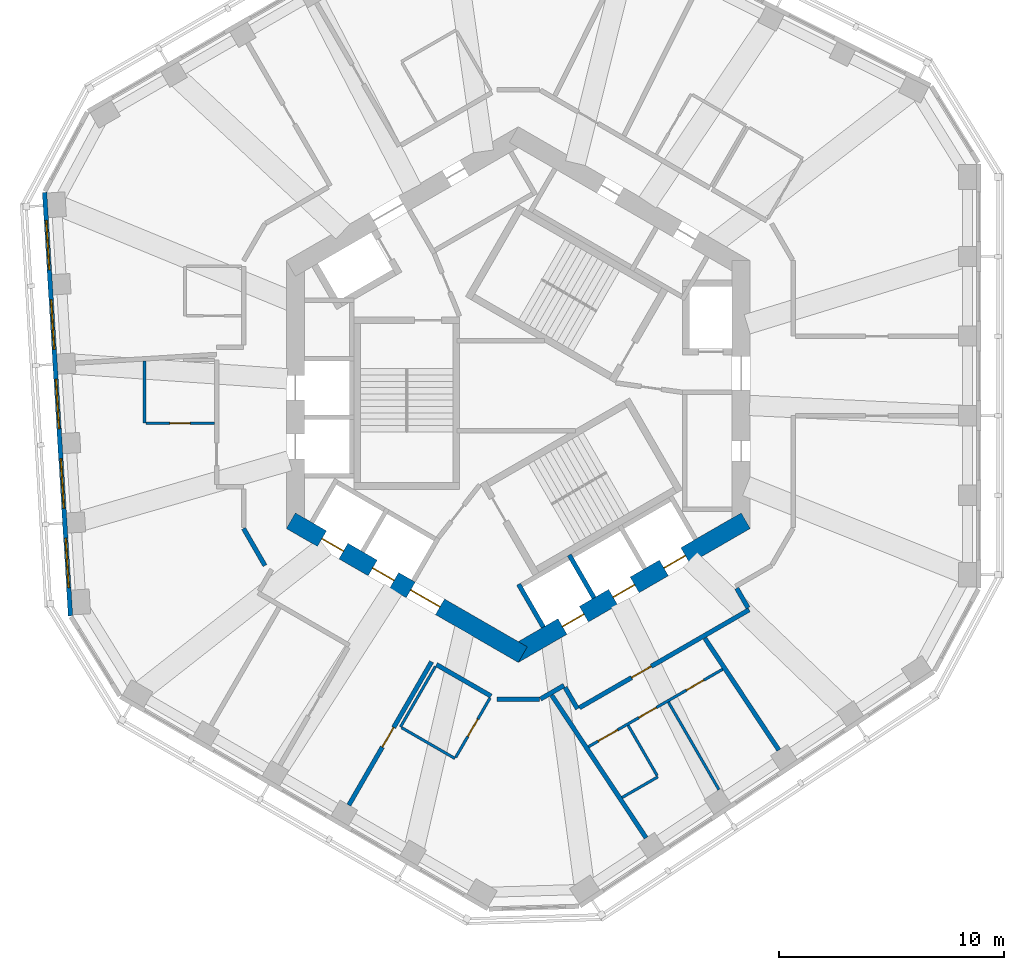
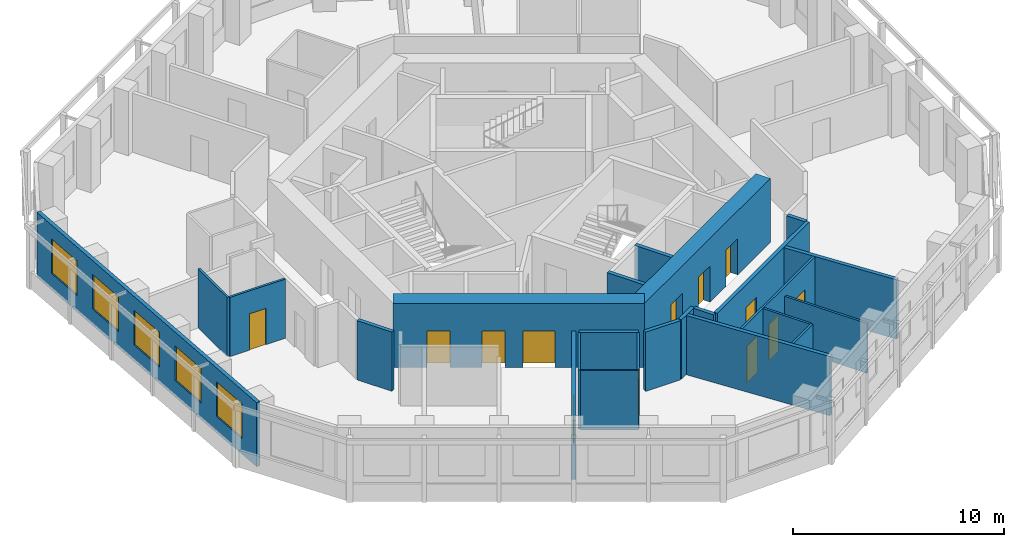
# One storey, part 4 of 11: 24 walls, 13 doors, 5 windows, 18 openings.
"""IFC4 building model written with IfcOpenShell, lengths in metres."""

from ifc_helpers import new_model, si_unit, direction, frame, frame_2d, origin, place, context, subcontext, project, spatial, rectangle, extrude, material, layer, layer_set, type_object, element, fill, save


model = new_model("IFC4")

# Units and contexts
model_context = context("Model", 3, precision=1e-05, world=origin(), true_north=direction((0.0, 1.0)))
body_context = subcontext(model_context, "Body", "Model", "MODEL_VIEW")
ifc_project = project(units=[si_unit("LENGTHUNIT", "METRE"), si_unit("AREAUNIT", "SQUARE_METRE"), si_unit("VOLUMEUNIT", "CUBIC_METRE"), si_unit("PLANEANGLEUNIT", "RADIAN"), si_unit("MASSUNIT", "GRAM", prefix="KILO")], contexts=[model_context])

# Site, building, storey
site_placement = place(None, origin())
site = spatial("IfcSite", under=ifc_project, at=site_placement, CompositionType="ELEMENT")
building_placement = place(site_placement, origin())
building = spatial("IfcBuilding", under=site, at=building_placement, Name="Vanh Sen Convention Tower", CompositionType="ELEMENT")
storey_placement = place(building_placement, frame((0.0, 0.0, 232.800048828125)))
storey = spatial("IfcBuildingStorey", under=building, at=storey_placement, Name="L57", CompositionType="ELEMENT", Elevation=232.800048828125)

# Wall
ifc_material_1 = material(Name="Moisture-resistant gypsum board on steel studs", Category="steel")
ifc_layer_1 = layer(ifc_material_1, 0.1201171875)
ifc_layer_set_1 = layer_set([ifc_layer_1], Name="Moisture-resistant gypsum board on steel studs")
wall_type_1 = type_object("IfcWallType", Name="Bathroom partition 120", PredefinedType="PARTITIONING", material=ifc_layer_set_1)
wall_1_placement = place(storey_placement, frame((-16.60107421875, -1.2666015625, 0.0), z_axis=(0.0, 0.0, 1.0), x_axis=(0.0, 1.0, 0.0)))
element("IfcWall", 1, at=wall_1_placement, inside=storey, type_object=wall_type_1, Name="Bathroom partition 120", PredefinedType="PARTITIONING", context=body_context, shape_type="SweptSolid", body=[
    extrude(rectangle(XDim=2.75, YDim=0.1201171875, at=frame_2d((1.375, 0.0))), origin(), (0.0, 0.0, 1.0), 3.419921875),
])

# Wall, opening, door
wall_2_placement = place(storey_placement, frame((-13.5009765625, -1.2666015625, 0.0), z_axis=(0.0, 0.0, 1.0), x_axis=(-1.0, 0.0, 0.0)))
wall_2 = element("IfcWall", 2, at=wall_2_placement, inside=storey, type_object=wall_type_1, Name="Bathroom partition 120", PredefinedType="PARTITIONING", context=body_context, shape_type="SweptSolid", body=[
    extrude(rectangle(XDim=3.0400390625, YDim=0.1201171875, at=frame_2d((1.52001953125, 0.0))), origin(), (0.0, 0.0, 1.0), 3.419921875),
])
opening_1_placement = place(wall_2_placement, frame((1.070068359375, 0.0, 0.0)))
opening_1 = element("IfcOpeningElement", 3, at=opening_1_placement, cuts=wall_2, Name="Opening D56110", PredefinedType="OPENING", context=body_context, shape_type="SweptSolid", body=[
    extrude(rectangle(XDim=0.89990234375, YDim=2.10009765625, at=frame_2d((0.449951171875, 1.050048828125))), frame((0.0, 0.070068359375, 0.0), z_axis=(0.0, -1.0, 0.0), x_axis=(1.0, 0.0, 0.0)), (0.0, 0.0, 1.0), 0.14013671875),
])
ifc_material_2 = material(Name="Laminate door in steel frame", Category="steel")
door_type_1 = type_object("IfcDoorType", Name="Room internal door 900", OperationType="SINGLE_SWING_LEFT", PredefinedType="DOOR", material=ifc_material_2)
door_1_placement = place(opening_1_placement, origin())
door_1 = element("IfcDoor", 4, at=door_1_placement, inside=storey, type_object=door_type_1, Name="Internal room door D56110", OperationType="SINGLE_SWING_LEFT", OverallHeight=2.10009765625, OverallWidth=0.89990234375, PredefinedType="DOOR", context=body_context, shape_type="SweptSolid", body=[
    extrude(rectangle(XDim=0.89990234375, YDim=2.10009765625, at=frame_2d((0.449951171875, 1.050048828125))), frame((0.0, 0.02490234375, 0.0), z_axis=(0.0, -1.0, 0.0), x_axis=(1.0, 0.0, 0.0)), (0.0, 0.0, 1.0), 0.050048828125),
])
fill(opening_1, door_1)

# Walls
wall_3_placement = place(storey_placement, frame((-5.2333984375, -14.7607421875, 0.0), z_axis=(0.0, 0.0, 1.0), x_axis=(0.499967891604, 0.866043940782, 0.0)))
element("IfcWall", 5, at=wall_3_placement, inside=storey, type_object=wall_type_1, Name="Bathroom partition 120", PredefinedType="PARTITIONING", context=body_context, shape_type="SweptSolid", body=[
    extrude(rectangle(XDim=3.099853515625, YDim=0.1201171875, at=frame_2d((1.5498046875, 0.0))), origin(), (0.0, 0.0, 1.0), 3.419921875),
])
wall_4_placement = place(storey_placement, frame((-2.80859375, -16.160888671875, 0.0), z_axis=(0.0, 0.0, 1.0), x_axis=(-0.865997131366, 0.500048966069, 0.0)))
element("IfcWall", 6, at=wall_4_placement, inside=storey, type_object=wall_type_1, Name="Bathroom partition 120", PredefinedType="PARTITIONING", context=body_context, shape_type="SweptSolid", body=[
    extrude(rectangle(XDim=2.739990234375, YDim=0.1201171875, at=frame_2d((1.3701171875, 0.0))), origin(), (0.0, 0.0, 1.0), 3.419921875),
])

# Wall, opening, door
wall_5_placement = place(storey_placement, frame((-1.258544921875, -13.476318359375, 0.0), z_axis=(0.0, 0.0, 1.0), x_axis=(-0.500026023896, -0.86601037836, 0.0)))
wall_5 = element("IfcWall", 7, at=wall_5_placement, inside=storey, type_object=wall_type_1, Name="Bathroom partition 120", PredefinedType="PARTITIONING", context=body_context, shape_type="SweptSolid", body=[
    extrude(rectangle(XDim=3.039794921875, YDim=0.1201171875, at=frame_2d((1.52001953125, 0.0))), origin(), (0.0, 0.0, 1.0), 3.419921875),
])
opening_2_placement = place(wall_5_placement, frame((1.06982421875, 0.0, 0.0)))
opening_2 = element("IfcOpeningElement", 8, at=opening_2_placement, cuts=wall_5, Name="Opening D56113", PredefinedType="OPENING", context=body_context, shape_type="SweptSolid", body=[
    extrude(rectangle(XDim=0.89990234375, YDim=2.10009765625, at=frame_2d((0.449951171875, 1.050048828125))), frame((0.0, 0.070068359375, 0.0), z_axis=(0.0, -1.0, 0.0), x_axis=(1.0, 0.0, 0.0)), (0.0, 0.0, 1.0), 0.14013671875),
])
door_2_placement = place(opening_2_placement, origin())
door_2 = element("IfcDoor", 9, at=door_2_placement, inside=storey, type_object=door_type_1, Name="Internal room door D56113", OperationType="SINGLE_SWING_LEFT", OverallHeight=2.10009765625, OverallWidth=0.89990234375, PredefinedType="DOOR", context=body_context, shape_type="SweptSolid", body=[
    extrude(rectangle(XDim=0.89990234375, YDim=2.10009765625, at=frame_2d((0.449951171875, 1.050048828125))), frame((0.0, 0.02490234375, 0.0), z_axis=(0.0, -1.0, 0.0), x_axis=(1.0, 0.0, 0.0)), (0.0, 0.0, 1.0), 0.050048828125),
])
fill(opening_2, door_2)

# Wall, openings, doors
wall_6_placement = place(storey_placement, frame((3.11669921875, -15.6376953125, 0.0), z_axis=(0.0, 0.0, 1.0), x_axis=(0.866031365477, 0.499989673903, 0.0)))
wall_6 = element("IfcWall", 10, at=wall_6_placement, inside=storey, type_object=wall_type_1, Name="Bathroom partition 120", PredefinedType="PARTITIONING", context=body_context, shape_type="SweptSolid", body=[
    extrude(rectangle(XDim=6.880615234375, YDim=0.1201171875, at=frame_2d((3.4404296875, 0.0))), origin(), (0.0, 0.0, 1.0), 3.419921875),
])
opening_3_placement = place(wall_6_placement, frame((0.5, 0.0, 0.0)))
opening_3 = element("IfcOpeningElement", 11, at=opening_3_placement, cuts=wall_6, Name="Opening D56115", PredefinedType="OPENING", context=body_context, shape_type="SweptSolid", body=[
    extrude(rectangle(XDim=1.0, YDim=2.10009765625, at=frame_2d((0.5, 1.050048828125))), frame((0.0, 0.070068359375, 0.0), z_axis=(0.0, -1.0, 0.0), x_axis=(1.0, 0.0, 0.0)), (0.0, 0.0, 1.0), 0.14013671875),
])
opening_4_placement = place(wall_6_placement, frame((2.58251953125, 0.0, 0.0)))
opening_4 = element("IfcOpeningElement", 12, at=opening_4_placement, cuts=wall_6, Name="Opening D56116", PredefinedType="OPENING", context=body_context, shape_type="SweptSolid", body=[
    extrude(rectangle(XDim=0.89990234375, YDim=2.10009765625, at=frame_2d((0.449951171875, 1.050048828125))), frame((0.0, 0.070068359375, 0.0), z_axis=(0.0, -1.0, 0.0), x_axis=(1.0, 0.0, 0.0)), (0.0, 0.0, 1.0), 0.14013671875),
])
opening_5_placement = place(wall_6_placement, frame((5.022705078125, 0.0, 0.0)))
opening_5 = element("IfcOpeningElement", 13, at=opening_5_placement, cuts=wall_6, Name="Opening D56117", PredefinedType="OPENING", context=body_context, shape_type="SweptSolid", body=[
    extrude(rectangle(XDim=0.89990234375, YDim=2.10009765625, at=frame_2d((0.449951171875, 1.050048828125))), frame((0.0, 0.070068359375, 0.0), z_axis=(0.0, -1.0, 0.0), x_axis=(1.0, 0.0, 0.0)), (0.0, 0.0, 1.0), 0.14013671875),
])
door_type_2 = type_object("IfcDoorType", Name="Accessible WC door 1000", OperationType="SINGLE_SWING_LEFT", PredefinedType="DOOR", material=ifc_material_2)
door_3_placement = place(opening_3_placement, origin())
door_3 = element("IfcDoor", 14, at=door_3_placement, inside=storey, type_object=door_type_2, Name="Accessible WC door D56115", OperationType="SINGLE_SWING_LEFT", OverallHeight=2.10009765625, OverallWidth=1.0, PredefinedType="DOOR", context=body_context, shape_type="SweptSolid", body=[
    extrude(rectangle(XDim=1.0, YDim=2.10009765625, at=frame_2d((0.5, 1.050048828125))), frame((0.0, 0.02490234375, 0.0), z_axis=(0.0, -1.0, 0.0), x_axis=(1.0, 0.0, 0.0)), (0.0, 0.0, 1.0), 0.050048828125),
])
fill(opening_3, door_3)
door_4_placement = place(opening_4_placement, origin())
door_4 = element("IfcDoor", 15, at=door_4_placement, inside=storey, type_object=door_type_1, Name="Internal room door D56116", OperationType="SINGLE_SWING_LEFT", OverallHeight=2.10009765625, OverallWidth=0.89990234375, PredefinedType="DOOR", context=body_context, shape_type="SweptSolid", body=[
    extrude(rectangle(XDim=0.89990234375, YDim=2.10009765625, at=frame_2d((0.449951171875, 1.050048828125))), frame((0.0, 0.02490234375, 0.0), z_axis=(0.0, -1.0, 0.0), x_axis=(1.0, 0.0, 0.0)), (0.0, 0.0, 1.0), 0.050048828125),
])
fill(opening_4, door_4)
door_5_placement = place(opening_5_placement, origin())
door_5 = element("IfcDoor", 16, at=door_5_placement, inside=storey, type_object=door_type_1, Name="Internal room door D56117", OperationType="SINGLE_SWING_LEFT", OverallHeight=2.10009765625, OverallWidth=0.89990234375, PredefinedType="DOOR", context=body_context, shape_type="SweptSolid", body=[
    extrude(rectangle(XDim=0.89990234375, YDim=2.10009765625, at=frame_2d((0.449951171875, 1.050048828125))), frame((0.0, 0.02490234375, 0.0), z_axis=(0.0, -1.0, 0.0), x_axis=(1.0, 0.0, 0.0)), (0.0, 0.0, 1.0), 0.050048828125),
])
fill(opening_5, door_5)

# Walls
wall_7_placement = place(storey_placement, frame((4.60986328125, -17.893310546875, 0.0), z_axis=(0.0, 0.0, 1.0), x_axis=(0.866023842607, 0.500002704028, 0.0)))
element("IfcWall", 17, at=wall_7_placement, inside=storey, type_object=wall_type_1, Name="Bathroom partition 120", PredefinedType="PARTITIONING", context=body_context, shape_type="SweptSolid", body=[
    extrude(rectangle(XDim=1.8349609375, YDim=0.1201171875, at=frame_2d((0.91748046875, 0.0))), origin(), (0.0, 0.0, 1.0), 3.419921875),
])
wall_8_placement = place(storey_placement, frame((6.1689453125, -16.923828125, 0.0), z_axis=(0.0, 0.0, 1.0), x_axis=(-0.500047388771, 0.865998042136, 0.0)))
element("IfcWall", 18, at=wall_8_placement, inside=storey, type_object=wall_type_1, Name="Bathroom partition 120", PredefinedType="PARTITIONING", context=body_context, shape_type="SweptSolid", body=[
    extrude(rectangle(XDim=2.579833984375, YDim=0.1201171875, at=frame_2d((1.2900390625, 0.0))), origin(), (0.0, 0.0, 1.0), 3.419921875),
])
wall_9_placement = place(storey_placement, frame((8.912353515625, -17.54541015625, 0.0), z_axis=(0.0, 0.0, 1.0), x_axis=(-0.500022113525, 0.866012636158, 0.0)))
element("IfcWall", 19, at=wall_9_placement, inside=storey, type_object=wall_type_1, Name="Bathroom partition 120", PredefinedType="PARTITIONING", context=body_context, shape_type="SweptSolid", body=[
    extrude(rectangle(XDim=4.489990234375, YDim=0.1201171875, at=frame_2d((2.2451171875, 0.0))), origin(), (0.0, 0.0, 1.0), 2.869873046875),
])

# Wall, openings, doors
ifc_material_3 = material(Name="Concrete C60/75", Category="concrete")
ifc_layer_2 = layer(ifc_material_3, 0.800048828125)
ifc_layer_set_2 = layer_set([ifc_layer_2], Name="Concrete C60/75")
wall_type_2 = type_object("IfcWallType", Name="Core outer wall 800 C60/75", PredefinedType="SHEAR", material=ifc_layer_set_2)
wall_10_placement = place(storey_placement, frame((-10.10009765625, -5.600341796875, 0.0), z_axis=(0.0, 0.0, 1.0), x_axis=(0.866023897231, -0.500002609418, 0.0)))
wall_10 = element("IfcWall", 20, at=wall_10_placement, inside=storey, type_object=wall_type_2, Name="Core wall face SW L57", PredefinedType="SHEAR", context=body_context, shape_type="SweptSolid", body=[
    extrude(rectangle(XDim=11.8935546875, YDim=0.800048828125, at=frame_2d((5.94677734375, 0.0))), origin(), (0.0, 0.0, 1.0), 3.699951171875),
])
opening_6_placement = place(wall_10_placement, frame((6.146728515625, 0.0, 0.0)))
opening_6 = element("IfcOpeningElement", 21, at=opening_6_placement, cuts=wall_10, Name="Opening D56003", PredefinedType="OPENING", context=body_context, shape_type="SweptSolid", body=[
    extrude(rectangle(XDim=1.5, YDim=2.10009765625, at=frame_2d((0.75, 1.050048828125))), frame((0.0, 0.409912109375, 0.0), z_axis=(0.0, -1.0, 0.0), x_axis=(1.0, 0.0, 0.0)), (0.0, 0.0, 1.0), 0.820068359375),
])
opening_7_placement = place(wall_10_placement, frame((1.5966796875, 0.0, 0.0)))
opening_7 = element("IfcOpeningElement", 22, at=opening_7_placement, cuts=wall_10, Name="Opening LD-HR3", PredefinedType="OPENING", context=body_context, shape_type="SweptSolid", body=[
    extrude(rectangle(XDim=1.10009765625, YDim=2.10009765625, at=frame_2d((0.550048828125, 1.050048828125))), frame((0.0, 0.409912109375, 0.0), z_axis=(0.0, -1.0, 0.0), x_axis=(1.0, 0.0, 0.0)), (0.0, 0.0, 1.0), 0.820068359375),
])
opening_8_placement = place(wall_10_placement, frame((4.19677734375, 0.0, 0.0)))
opening_8 = element("IfcOpeningElement", 23, at=opening_8_placement, cuts=wall_10, Name="Opening LD-HR4", PredefinedType="OPENING", context=body_context, shape_type="SweptSolid", body=[
    extrude(rectangle(XDim=1.10009765625, YDim=2.10009765625, at=frame_2d((0.550048828125, 1.050048828125))), frame((0.0, 0.409912109375, 0.0), z_axis=(0.0, -1.0, 0.0), x_axis=(1.0, 0.0, 0.0)), (0.0, 0.0, 1.0), 0.820068359375),
])
ifc_material_4 = material(Name="Stainless steel", Category="steel")
door_type_3 = type_object("IfcDoorType", Name="Lift landing door 1100", OperationType="DOUBLE_DOOR_SLIDING", PredefinedType="DOOR", material=ifc_material_4)
door_6_placement = place(opening_7_placement, origin())
door_6 = element("IfcDoor", 24, at=door_6_placement, inside=storey, type_object=door_type_3, Name="Lift HR3 landing door LD-HR3", OperationType="DOUBLE_DOOR_SLIDING", OverallHeight=2.10009765625, OverallWidth=1.10009765625, PredefinedType="DOOR", context=body_context, shape_type="SweptSolid", body=[
    extrude(rectangle(XDim=1.10009765625, YDim=2.10009765625, at=frame_2d((0.550048828125, 1.050048828125))), frame((0.0, 0.02490234375, 0.0), z_axis=(0.0, -1.0, 0.0), x_axis=(1.0, 0.0, 0.0)), (0.0, 0.0, 1.0), 0.050048828125),
])
fill(opening_7, door_6)
door_7_placement = place(opening_8_placement, origin())
door_7 = element("IfcDoor", 25, at=door_7_placement, inside=storey, type_object=door_type_3, Name="Lift HR4 landing door LD-HR4", OperationType="DOUBLE_DOOR_SLIDING", OverallHeight=2.10009765625, OverallWidth=1.10009765625, PredefinedType="DOOR", context=body_context, shape_type="SweptSolid", body=[
    extrude(rectangle(XDim=1.10009765625, YDim=2.10009765625, at=frame_2d((0.550048828125, 1.050048828125))), frame((0.0, 0.02490234375, 0.0), z_axis=(0.0, -1.0, 0.0), x_axis=(1.0, 0.0, 0.0)), (0.0, 0.0, 1.0), 0.050048828125),
])
fill(opening_8, door_7)
ifc_material_5 = material(Name="Steel S355", Category="steel")
door_type_4 = type_object("IfcDoorType", Name="Stair lobby door 1500", OperationType="DOUBLE_DOOR_SINGLE_SWING", PredefinedType="DOOR", material=ifc_material_5)
door_8_placement = place(opening_6_placement, origin())
door_8 = element("IfcDoor", 26, at=door_8_placement, inside=storey, type_object=door_type_4, Name="Stair lobby door D56003", OperationType="DOUBLE_DOOR_SINGLE_SWING", OverallHeight=2.10009765625, OverallWidth=1.5, PredefinedType="DOOR", context=body_context, shape_type="SweptSolid", body=[
    extrude(rectangle(XDim=1.5, YDim=2.10009765625, at=frame_2d((0.75, 1.050048828125))), frame((0.0, 0.02490234375, 0.0), z_axis=(0.0, -1.0, 0.0), x_axis=(1.0, 0.0, 0.0)), (0.0, 0.0, 1.0), 0.050048828125),
])
fill(opening_6, door_8)

wall_11_placement = place(storey_placement, frame((-0.199951171875, -11.547119140625, 0.0), z_axis=(0.0, 0.0, 1.0), x_axis=(0.866023897231, 0.500002609418, 0.0)))
wall_11 = element("IfcWall", 27, at=wall_11_placement, inside=storey, type_object=wall_type_2, Name="Core wall face SE L57", PredefinedType="SHEAR", context=body_context, shape_type="SweptSolid", body=[
    extrude(rectangle(XDim=11.8935546875, YDim=0.800048828125, at=frame_2d((5.94677734375, 0.0))), origin(), (0.0, 0.0, 1.0), 3.699951171875),
])
opening_9_placement = place(wall_11_placement, frame((2.49658203125, 0.0, 0.0)))
opening_9 = element("IfcOpeningElement", 28, at=opening_9_placement, cuts=wall_11, Name="Opening LD-HR5", PredefinedType="OPENING", context=body_context, shape_type="SweptSolid", body=[
    extrude(rectangle(XDim=1.10009765625, YDim=2.10009765625, at=frame_2d((0.550048828125, 1.050048828125))), frame((0.0, 0.409912109375, 0.0), z_axis=(0.0, -1.0, 0.0), x_axis=(1.0, 0.0, 0.0)), (0.0, 0.0, 1.0), 0.820068359375),
])
opening_10_placement = place(wall_11_placement, frame((5.0966796875, 0.0, 0.0)))
opening_10 = element("IfcOpeningElement", 29, at=opening_10_placement, cuts=wall_11, Name="Opening LD-HR6", PredefinedType="OPENING", context=body_context, shape_type="SweptSolid", body=[
    extrude(rectangle(XDim=1.10009765625, YDim=2.10009765625, at=frame_2d((0.550048828125, 1.050048828125))), frame((0.0, 0.409912109375, 0.0), z_axis=(0.0, -1.0, 0.0), x_axis=(1.0, 0.0, 0.0)), (0.0, 0.0, 1.0), 0.820068359375),
])
opening_11_placement = place(wall_11_placement, frame((7.69677734375, 0.0, 0.0)))
opening_11 = element("IfcOpeningElement", 30, at=opening_11_placement, cuts=wall_11, Name="Opening LD-SV1", PredefinedType="OPENING", context=body_context, shape_type="SweptSolid", body=[
    extrude(rectangle(XDim=1.10009765625, YDim=2.10009765625, at=frame_2d((0.550048828125, 1.050048828125))), frame((0.0, 0.409912109375, 0.0), z_axis=(0.0, -1.0, 0.0), x_axis=(1.0, 0.0, 0.0)), (0.0, 0.0, 1.0), 0.820068359375),
])
door_9_placement = place(opening_9_placement, origin())
door_9 = element("IfcDoor", 31, at=door_9_placement, inside=storey, type_object=door_type_3, Name="Lift HR5 landing door LD-HR5", OperationType="DOUBLE_DOOR_SLIDING", OverallHeight=2.10009765625, OverallWidth=1.10009765625, PredefinedType="DOOR", context=body_context, shape_type="SweptSolid", body=[
    extrude(rectangle(XDim=1.10009765625, YDim=2.10009765625, at=frame_2d((0.550048828125, 1.050048828125))), frame((0.0, 0.02490234375, 0.0), z_axis=(0.0, -1.0, 0.0), x_axis=(1.0, 0.0, 0.0)), (0.0, 0.0, 1.0), 0.050048828125),
])
fill(opening_9, door_9)
door_10_placement = place(opening_10_placement, origin())
door_10 = element("IfcDoor", 32, at=door_10_placement, inside=storey, type_object=door_type_3, Name="Lift HR6 landing door LD-HR6", OperationType="DOUBLE_DOOR_SLIDING", OverallHeight=2.10009765625, OverallWidth=1.10009765625, PredefinedType="DOOR", context=body_context, shape_type="SweptSolid", body=[
    extrude(rectangle(XDim=1.10009765625, YDim=2.10009765625, at=frame_2d((0.550048828125, 1.050048828125))), frame((0.0, 0.02490234375, 0.0), z_axis=(0.0, -1.0, 0.0), x_axis=(1.0, 0.0, 0.0)), (0.0, 0.0, 1.0), 0.050048828125),
])
fill(opening_10, door_10)
door_11_placement = place(opening_11_placement, origin())
door_11 = element("IfcDoor", 33, at=door_11_placement, inside=storey, type_object=door_type_3, Name="Lift SV1 landing door LD-SV1", OperationType="DOUBLE_DOOR_SLIDING", OverallHeight=2.10009765625, OverallWidth=1.10009765625, PredefinedType="DOOR", context=body_context, shape_type="SweptSolid", body=[
    extrude(rectangle(XDim=1.10009765625, YDim=2.10009765625, at=frame_2d((0.550048828125, 1.050048828125))), frame((0.0, 0.02490234375, 0.0), z_axis=(0.0, -1.0, 0.0), x_axis=(1.0, 0.0, 0.0)), (0.0, 0.0, 1.0), 0.050048828125),
])
fill(opening_11, door_11)

# Wall
ifc_material_6 = material(Name="Gypsum board on steel studs with mineral wool", Category="steel")
ifc_layer_3 = layer(ifc_material_6, 0.199951171875)
ifc_layer_set_3 = layer_set([ifc_layer_3], Name="Gypsum board on steel studs with mineral wool")
wall_type_3 = type_object("IfcWallType", Name="Corridor partition wall 200", PredefinedType="PARTITIONING", material=ifc_layer_set_3)
wall_12_placement = place(storey_placement, frame((-12.199951171875, -5.94677734375, 0.0), z_axis=(0.0, 0.0, 1.0), x_axis=(0.500022797313, -0.86601224135, 0.0)))
element("IfcWall", 34, at=wall_12_placement, inside=storey, type_object=wall_type_3, Name="Corridor partition wall 200", PredefinedType="PARTITIONING", context=body_context, shape_type="SweptSolid", body=[
    extrude(rectangle(XDim=1.89990234375, YDim=0.199951171875, at=frame_2d((0.949951171875, 0.0))), origin(), (0.0, 0.0, 1.0), 3.419921875),
])

# Wall, opening, door
wall_13_placement = place(storey_placement, frame((-7.52490234375, -18.229736328125, 0.0), z_axis=(0.0, 0.0, 1.0), x_axis=(0.499983153418, 0.866035129944, 0.0)))
wall_13 = element("IfcWall", 35, at=wall_13_placement, inside=storey, type_object=wall_type_3, Name="Corridor partition wall 200", PredefinedType="PARTITIONING", context=body_context, shape_type="SweptSolid", body=[
    extrude(rectangle(XDim=7.349853515625, YDim=0.199951171875, at=frame_2d((3.6748046875, 0.0))), origin(), (0.0, 0.0, 1.0), 3.419921875),
])
opening_12_placement = place(wall_13_placement, frame((2.97509765625, 0.0, 0.0)))
opening_12 = element("IfcOpeningElement", 36, at=opening_12_placement, cuts=wall_13, Name="Opening D56112", PredefinedType="OPENING", context=body_context, shape_type="SweptSolid", body=[
    extrude(rectangle(XDim=1.0, YDim=2.10009765625, at=frame_2d((0.5, 1.050048828125))), frame((0.0, 0.10986328125, 0.0), z_axis=(0.0, -1.0, 0.0), x_axis=(1.0, 0.0, 0.0)), (0.0, 0.0, 1.0), 0.219970703125),
])
ifc_material_7 = material(Name="Glazed fire door in steel frame", Category="steel")
door_type_5 = type_object("IfcDoorType", Name="Tenant entrance door 1000", OperationType="SINGLE_SWING_LEFT", PredefinedType="DOOR", material=ifc_material_7)
door_12_placement = place(opening_12_placement, origin())
door_12 = element("IfcDoor", 37, at=door_12_placement, inside=storey, type_object=door_type_5, Name="Tenant suite entrance door D56112", OperationType="SINGLE_SWING_LEFT", OverallHeight=2.10009765625, OverallWidth=1.0, PredefinedType="DOOR", context=body_context, shape_type="SweptSolid", body=[
    extrude(rectangle(XDim=1.0, YDim=2.10009765625, at=frame_2d((0.5, 1.050048828125))), frame((0.0, 0.02490234375, 0.0), z_axis=(0.0, -1.0, 0.0), x_axis=(1.0, 0.0, 0.0)), (0.0, 0.0, 1.0), 0.050048828125),
])
fill(opening_12, door_12)

# Walls
wall_14_placement = place(storey_placement, frame((-3.633544921875, -11.989501953125, 0.0), z_axis=(0.0, 0.0, 1.0), x_axis=(0.866018616679, -0.500011755427, 0.0)))
element("IfcWall", 38, at=wall_14_placement, inside=storey, type_object=wall_type_3, Name="Corridor partition wall 200", PredefinedType="PARTITIONING", context=body_context, shape_type="SweptSolid", body=[
    extrude(rectangle(XDim=2.80029296875, YDim=0.199951171875, at=frame_2d((1.400146484375, 0.0))), origin(), (0.0, 0.0, 1.0), 3.419921875),
])
wall_15_placement = place(storey_placement, frame((-0.949951171875, -13.538818359375, 0.0), z_axis=(0.0, 0.0, 1.0), x_axis=(1.0, 0.0, 0.0)))
element("IfcWall", 39, at=wall_15_placement, inside=storey, type_object=wall_type_3, Name="Corridor partition wall 200", PredefinedType="PARTITIONING", context=body_context, shape_type="SweptSolid", body=[
    extrude(rectangle(XDim=1.89990234375, YDim=0.199951171875, at=frame_2d((0.949951171875, 0.0))), origin(), (0.0, 0.0, 1.0), 3.419921875),
])
wall_16_placement = place(storey_placement, frame((0.984619140625, -13.518798828125, 0.0), z_axis=(0.0, 0.0, 1.0), x_axis=(0.866054082991, 0.499950322867, 0.0)))
element("IfcWall", 40, at=wall_16_placement, inside=storey, type_object=wall_type_3, Name="Corridor partition wall 200", PredefinedType="PARTITIONING", context=body_context, shape_type="SweptSolid", body=[
    extrude(rectangle(XDim=1.20556640625, YDim=0.199951171875, at=frame_2d((0.602783203125, 0.0))), origin(), (0.0, 0.0, 1.0), 3.419921875),
])
wall_17_placement = place(storey_placement, frame((2.078857421875, -13.002685546875, 0.0), z_axis=(0.0, 0.0, 1.0), x_axis=(0.500074377092, -0.865982457891, 0.0)))
element("IfcWall", 41, at=wall_17_placement, inside=storey, type_object=wall_type_3, Name="Corridor partition wall 200", PredefinedType="PARTITIONING", context=body_context, shape_type="SweptSolid", body=[
    extrude(rectangle(XDim=1.100830078125, YDim=0.199951171875, at=frame_2d((0.55029296875, 0.0))), origin(), (0.0, 0.0, 1.0), 3.419921875),
])

# Wall, opening, door
wall_18_placement = place(storey_placement, frame((2.7158203125, -13.906005859375, 0.0), z_axis=(0.0, 0.0, 1.0), x_axis=(0.866040290674, 0.499974214264, 0.0)))
wall_18 = element("IfcWall", 42, at=wall_18_placement, inside=storey, type_object=wall_type_3, Name="Corridor partition wall 200", PredefinedType="PARTITIONING", context=body_context, shape_type="SweptSolid", body=[
    extrude(rectangle(XDim=8.7021484375, YDim=0.199951171875, at=frame_2d((4.35107421875, 0.0))), origin(), (0.0, 0.0, 1.0), 3.419921875),
])
opening_13_placement = place(wall_18_placement, frame((2.678955078125, 0.0, 0.0)))
opening_13 = element("IfcOpeningElement", 43, at=opening_13_placement, cuts=wall_18, Name="Opening D56114", PredefinedType="OPENING", context=body_context, shape_type="SweptSolid", body=[
    extrude(rectangle(XDim=1.0, YDim=2.10009765625, at=frame_2d((0.5, 1.050048828125))), frame((0.0, 0.10986328125, 0.0), z_axis=(0.0, -1.0, 0.0), x_axis=(1.0, 0.0, 0.0)), (0.0, 0.0, 1.0), 0.219970703125),
])
ifc_material_8 = material(Name="Timber fire door in steel frame", Category="steel")
door_type_6 = type_object("IfcDoorType", Name="Floor room door 1000", OperationType="SINGLE_SWING_LEFT", PredefinedType="DOOR", material=ifc_material_8)
door_13_placement = place(opening_13_placement, origin())
door_13 = element("IfcDoor", 44, at=door_13_placement, inside=storey, type_object=door_type_6, Name="Meeting and amenity room door D56114", OperationType="SINGLE_SWING_LEFT", OverallHeight=2.10009765625, OverallWidth=1.0, PredefinedType="DOOR", context=body_context, shape_type="SweptSolid", body=[
    extrude(rectangle(XDim=1.0, YDim=2.10009765625, at=frame_2d((0.5, 1.050048828125))), frame((0.0, 0.02490234375, 0.0), z_axis=(0.0, -1.0, 0.0), x_axis=(1.0, 0.0, 0.0)), (0.0, 0.0, 1.0), 0.050048828125),
])
fill(opening_13, door_13)

# Wall
wall_19_placement = place(storey_placement, frame((10.2021484375, -9.468505859375, 0.0), z_axis=(0.0, 0.0, 1.0), x_axis=(-0.499968756647, 0.866043441391, 0.0)))
element("IfcWall", 45, at=wall_19_placement, inside=storey, type_object=wall_type_3, Name="Corridor partition wall 200", PredefinedType="PARTITIONING", context=body_context, shape_type="SweptSolid", body=[
    extrude(rectangle(XDim=1.0009765625, YDim=0.199951171875, at=frame_2d((0.50048828125, 0.0))), origin(), (0.0, 0.0, 1.0), 3.419921875),
])

# Wall, openings, windows
ifc_material_9 = material(Name="Insulated lightweight infill wall")
ifc_layer_4 = layer(ifc_material_9, 0.199951171875)
ifc_layer_set_4 = layer_set([ifc_layer_4], Name="Insulated lightweight infill wall")
wall_type_4 = type_object("IfcWallType", Name="External wall 200", PredefinedType="STANDARD", material=ifc_layer_set_4)
wall_20_placement = place(storey_placement, frame((-21.03759765625, 8.983642578125, 0.0), z_axis=(0.0, 0.0, 1.0), x_axis=(0.061043935634, -0.998135079998, 0.0)))
wall_20 = element("IfcWall", 46, at=wall_20_placement, inside=storey, type_object=wall_type_4, Name="External wall W L57", PredefinedType="STANDARD", context=body_context, shape_type="SweptSolid", body=[
    extrude(rectangle(XDim=18.84130859375, YDim=0.199951171875, at=frame_2d((9.420654296875, 0.0))), origin(), (0.0, 0.0, 1.0), 3.699951171875),
])
opening_14_placement = place(wall_20_placement, frame((1.252685546875, 0.0, 0.89990234375)))
opening_14 = element("IfcOpeningElement", 47, at=opening_14_placement, cuts=wall_20, Name="Opening WO3-W1", PredefinedType="OPENING", context=body_context, shape_type="SweptSolid", body=[
    extrude(rectangle(XDim=2.199951171875, YDim=2.0, at=frame_2d((1.10009765625, 1.0))), frame((0.0, 0.10986328125, 0.0), z_axis=(0.0, -1.0, 0.0), x_axis=(1.0, 0.0, 0.0)), (0.0, 0.0, 1.0), 0.219970703125),
])
opening_15_placement = place(wall_20_placement, frame((4.7861328125, 0.0, 0.89990234375)))
opening_15 = element("IfcOpeningElement", 48, at=opening_15_placement, cuts=wall_20, Name="Opening WO3-W2", PredefinedType="OPENING", context=body_context, shape_type="SweptSolid", body=[
    extrude(rectangle(XDim=2.199951171875, YDim=2.0, at=frame_2d((1.10009765625, 1.0))), frame((0.0, 0.10986328125, 0.0), z_axis=(0.0, -1.0, 0.0), x_axis=(1.0, 0.0, 0.0)), (0.0, 0.0, 1.0), 0.219970703125),
])
opening_16_placement = place(wall_20_placement, frame((8.31982421875, 0.0, 0.89990234375)))
opening_16 = element("IfcOpeningElement", 49, at=opening_16_placement, cuts=wall_20, Name="Opening WO3-W3", PredefinedType="OPENING", context=body_context, shape_type="SweptSolid", body=[
    extrude(rectangle(XDim=2.199951171875, YDim=2.0, at=frame_2d((1.10009765625, 1.0))), frame((0.0, 0.10986328125, 0.0), z_axis=(0.0, -1.0, 0.0), x_axis=(1.0, 0.0, 0.0)), (0.0, 0.0, 1.0), 0.219970703125),
])
opening_17_placement = place(wall_20_placement, frame((11.853515625, 0.0, 0.89990234375)))
opening_17 = element("IfcOpeningElement", 50, at=opening_17_placement, cuts=wall_20, Name="Opening WO3-W4", PredefinedType="OPENING", context=body_context, shape_type="SweptSolid", body=[
    extrude(rectangle(XDim=2.199951171875, YDim=2.0, at=frame_2d((1.10009765625, 1.0))), frame((0.0, 0.10986328125, 0.0), z_axis=(0.0, -1.0, 0.0), x_axis=(1.0, 0.0, 0.0)), (0.0, 0.0, 1.0), 0.219970703125),
])
opening_18_placement = place(wall_20_placement, frame((15.38720703125, 0.0, 0.89990234375)))
opening_18 = element("IfcOpeningElement", 51, at=opening_18_placement, cuts=wall_20, Name="Opening WO3-W5", PredefinedType="OPENING", context=body_context, shape_type="SweptSolid", body=[
    extrude(rectangle(XDim=2.199951171875, YDim=2.0, at=frame_2d((1.10009765625, 1.0))), frame((0.0, 0.10986328125, 0.0), z_axis=(0.0, -1.0, 0.0), x_axis=(1.0, 0.0, 0.0)), (0.0, 0.0, 1.0), 0.219970703125),
])
ifc_material_10 = material(Name="Aluminium frame with clear low-emissivity glass", Category="aluminium")
window_type = type_object("IfcWindowType", Name="Office window 2200 x 2000", PartitioningType="SINGLE_PANEL", PredefinedType="WINDOW", material=ifc_material_10)
window_1_placement = place(opening_14_placement, origin())
window_1 = element("IfcWindow", 52, at=window_1_placement, inside=storey, type_object=window_type, Name="Window WO3-W1", OverallHeight=2.0, OverallWidth=2.199951171875, PartitioningType="SINGLE_PANEL", PredefinedType="WINDOW", context=body_context, shape_type="SweptSolid", body=[
    extrude(rectangle(XDim=2.199951171875, YDim=2.0, at=frame_2d((1.10009765625, 1.0))), frame((0.0, 0.030029296875, 0.0), z_axis=(0.0, -1.0, 0.0), x_axis=(1.0, 0.0, 0.0)), (0.0, 0.0, 1.0), 0.06005859375),
])
fill(opening_14, window_1)
window_2_placement = place(opening_15_placement, origin())
window_2 = element("IfcWindow", 53, at=window_2_placement, inside=storey, type_object=window_type, Name="Window WO3-W2", OverallHeight=2.0, OverallWidth=2.199951171875, PartitioningType="SINGLE_PANEL", PredefinedType="WINDOW", context=body_context, shape_type="SweptSolid", body=[
    extrude(rectangle(XDim=2.199951171875, YDim=2.0, at=frame_2d((1.10009765625, 1.0))), frame((0.0, 0.030029296875, 0.0), z_axis=(0.0, -1.0, 0.0), x_axis=(1.0, 0.0, 0.0)), (0.0, 0.0, 1.0), 0.06005859375),
])
fill(opening_15, window_2)
window_3_placement = place(opening_16_placement, origin())
window_3 = element("IfcWindow", 54, at=window_3_placement, inside=storey, type_object=window_type, Name="Window WO3-W3", OverallHeight=2.0, OverallWidth=2.199951171875, PartitioningType="SINGLE_PANEL", PredefinedType="WINDOW", context=body_context, shape_type="SweptSolid", body=[
    extrude(rectangle(XDim=2.199951171875, YDim=2.0, at=frame_2d((1.10009765625, 1.0))), frame((0.0, 0.030029296875, 0.0), z_axis=(0.0, -1.0, 0.0), x_axis=(1.0, 0.0, 0.0)), (0.0, 0.0, 1.0), 0.06005859375),
])
fill(opening_16, window_3)
window_4_placement = place(opening_17_placement, origin())
window_4 = element("IfcWindow", 55, at=window_4_placement, inside=storey, type_object=window_type, Name="Window WO3-W4", OverallHeight=2.0, OverallWidth=2.199951171875, PartitioningType="SINGLE_PANEL", PredefinedType="WINDOW", context=body_context, shape_type="SweptSolid", body=[
    extrude(rectangle(XDim=2.199951171875, YDim=2.0, at=frame_2d((1.10009765625, 1.0))), frame((0.0, 0.030029296875, 0.0), z_axis=(0.0, -1.0, 0.0), x_axis=(1.0, 0.0, 0.0)), (0.0, 0.0, 1.0), 0.06005859375),
])
fill(opening_17, window_4)
window_5_placement = place(opening_18_placement, origin())
window_5 = element("IfcWindow", 56, at=window_5_placement, inside=storey, type_object=window_type, Name="Window WO3-W5", OverallHeight=2.0, OverallWidth=2.199951171875, PartitioningType="SINGLE_PANEL", PredefinedType="WINDOW", context=body_context, shape_type="SweptSolid", body=[
    extrude(rectangle(XDim=2.199951171875, YDim=2.0, at=frame_2d((1.10009765625, 1.0))), frame((0.0, 0.030029296875, 0.0), z_axis=(0.0, -1.0, 0.0), x_axis=(1.0, 0.0, 0.0)), (0.0, 0.0, 1.0), 0.06005859375),
])
fill(opening_18, window_5)

# Walls
ifc_material_11 = material(Name="Concrete C40/50", Category="concrete")
ifc_layer_5 = layer(ifc_material_11, 0.199951171875)
ifc_layer_set_5 = layer_set([ifc_layer_5], Name="Concrete C40/50")
wall_type_5 = type_object("IfcWallType", Name="Lift shaft wall 200", PredefinedType="PARTITIONING", material=ifc_layer_set_5)
for number, where, z_axis, x_axis, name in (
    (57, (0.0126953125, -8.422119140625, 0.0), (0.0, 0.0, 1.0), (0.500077893725, -0.86598042715, 0.0), "Lift shaft wall L57"),
    (58, (2.264404296875, -7.1220703125, 0.0), (0.0, 0.0, 1.0), (0.500077893725, -0.86598042715, 0.0), "Lift shaft wall L57"),
):
    element("IfcWall", number, at=place(storey_placement, frame(where, z_axis=z_axis, x_axis=x_axis)), inside=storey, type_object=wall_type_5, Name=name, PredefinedType="PARTITIONING", context=body_context, shape_type="SweptSolid", body=[
        extrude(rectangle(XDim=2.199951171875, YDim=0.199951171875, at=frame_2d((1.10009765625, 0.0))), origin(), (0.0, 0.0, 1.0), 3.419921875),
    ])
ifc_layer_6 = layer(ifc_material_6, 0.199951171875)
ifc_layer_set_6 = layer_set([ifc_layer_6], Name="Gypsum board on steel studs with mineral wool")
wall_type_6 = type_object("IfcWallType", Name="Tenant suite wall 200", PredefinedType="PARTITIONING", material=ifc_layer_set_6)
wall_21_placement = place(storey_placement, frame((5.67724609375, -19.686767578125, 0.0), z_axis=(0.0, 0.0, 1.0), x_axis=(-0.551936619203, 0.833886064389, 0.0)))
element("IfcWall", 59, at=wall_21_placement, inside=storey, type_object=wall_type_6, Name="Tenant suite wall 200", PredefinedType="PARTITIONING", context=body_context, shape_type="SweptSolid", body=[
    extrude(rectangle(XDim=7.59228515625, YDim=0.199951171875, at=frame_2d((3.796142578125, 0.0))), origin(), (0.0, 0.0, 1.0), 3.419921875),
])
wall_22_placement = place(storey_placement, frame((11.570556640625, -15.7861328125, 0.0), z_axis=(0.0, 0.0, 1.0), x_axis=(-0.551944861763, 0.833880608705, 0.0)))
element("IfcWall", 60, at=wall_22_placement, inside=storey, type_object=wall_type_6, Name="Tenant suite wall 200", PredefinedType="PARTITIONING", context=body_context, shape_type="SweptSolid", body=[
    extrude(rectangle(XDim=5.956787109375, YDim=0.199951171875, at=frame_2d((2.978515625, 0.0))), origin(), (0.0, 0.0, 1.0), 3.419921875),
])

save(model, "model.ifc")
